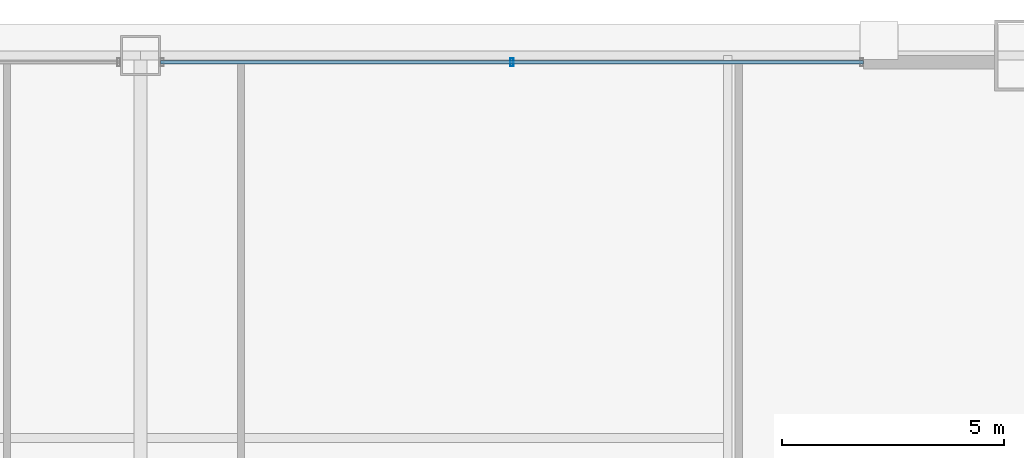
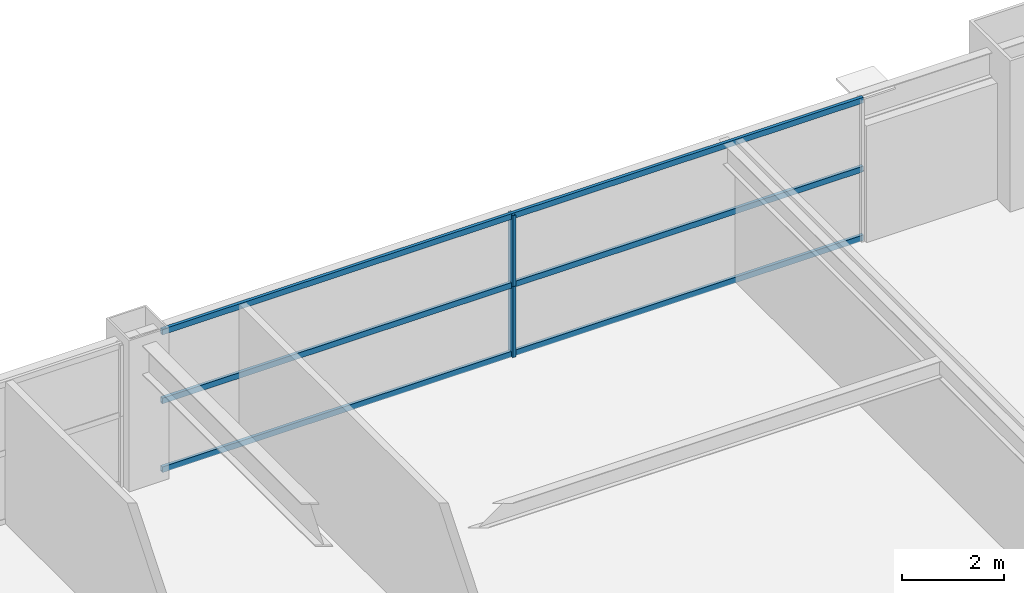
# One storey, part 31 of 39: 5 members, 1 element without a shape of its own.
"""IFC4 building model written with IfcOpenShell, lengths in metres."""

from ifc_helpers import new_model, si_unit, direction, frame, origin, origin_2d, place, context, subcontext, project, spatial, hollow_rectangle, extrude, source, transform, mapped, material, layer, layer_set, material_profile, profile_set, type_object, element, aggregate, save


model = new_model("IFC4")

# Units and contexts
model_context = context("Model", 3, precision=1e-05, world=origin(), true_north=direction((0.0, 1.0)))
body_context = subcontext(model_context, "Body", "Model", "MODEL_VIEW")
ifc_project = project(units=[si_unit("LENGTHUNIT", "METRE"), si_unit("AREAUNIT", "SQUARE_METRE"), si_unit("VOLUMEUNIT", "CUBIC_METRE"), si_unit("PLANEANGLEUNIT", "RADIAN"), si_unit("MASSUNIT", "GRAM", prefix="KILO"), si_unit("THERMODYNAMICTEMPERATUREUNIT", "KELVIN"), si_unit("POWERUNIT", "WATT")], contexts=[model_context])

# Site, building, storey
site_placement = place(None, origin())
site = spatial("IfcSite", under=ifc_project, at=site_placement, CompositionType="ELEMENT")
building_placement = place(site_placement, origin())
building = spatial("IfcBuilding", under=site, at=building_placement, Name="Yuzanri Waterfront Tower", CompositionType="ELEMENT")
storey_placement = place(building_placement, frame((0.0, 0.0, 134.39990234375)))
storey = spatial("IfcBuildingStorey", under=building, at=storey_placement, Name="L35", CompositionType="ELEMENT", Elevation=134.39990234375)

# Curtain wall, members
ifc_material_1 = material(Name="Anodized Architectural Bronze", Category="metal")
ifc_layer = layer(ifc_material_1, 0.159912109375)
ifc_layer_set = layer_set([ifc_layer], Name="Anodized Architectural Bronze")
curtain_wall_type = type_object("IfcCurtainWallType", Name="Anodized Bronze Hotel Upper-Tier Solar-Control Unitized Curtain Wall 7800", PredefinedType="NOTDEFINED", material=ifc_layer_set)
curtain_wall_placement = place(storey_placement, origin())
curtain_wall = element("IfcCurtainWall", 1, at=curtain_wall_placement, inside=storey, type_object=curtain_wall_type, Name="L35 Curtain Wall CW-L35-NR", PredefinedType="NOTDEFINED")
ifc_material_2 = material(Name="Anodized Architectural Bronze", Category="metal")
ifc_material_profile_1 = material_profile(ifc_material_2, hollow_rectangle(XDim=0.070068359375, YDim=0.179931640625, WallThickness=0.00390625, at=origin_2d()), Name="CWM 70x180")
ifc_profile_set_1 = profile_set([ifc_material_profile_1], Name="Anodized Architectural Bronze")
member_type_1 = type_object("IfcMemberType", Name="Anodized Bronze Standard Curtain-Wall Mullion 70x180", PredefinedType="MULLION", material=ifc_profile_set_1)
shared_shape_1 = source(origin(), body_context, "Body", "SweptSolid", [
    extrude(hollow_rectangle(XDim=0.070068359375, YDim=0.179931640625, WallThickness=0.00390625, at=origin_2d()), origin(), (0.0, 0.0, 1.0), 1.68798828125),
])
member_1_placement = place(storey_placement, frame((45.35009765625, 49.25, 0.0), z_axis=(0.0, 0.0, 1.0), x_axis=(1.0, 0.0, 0.0)))
member_1 = element("IfcMember", 2, at=member_1_placement, type_object=member_type_1, Name="CW-L35-NR Lower Mullion 01", PredefinedType="MULLION", context=body_context, shape_type="MappedRepresentation", body=[
    mapped(shared_shape_1, transform((0.0, 0.0, 0.0), scale=1.0)),
])
member_2_placement = place(storey_placement, frame((45.35009765625, 49.25, 1.692138671875), z_axis=(0.0, 0.0, 1.0), x_axis=(1.0, 0.0, 0.0)))
member_2 = element("IfcMember", 3, at=member_2_placement, type_object=member_type_1, Name="CW-L35-NR Upper Mullion 01", PredefinedType="MULLION", context=body_context, shape_type="MappedRepresentation", body=[
    mapped(shared_shape_1, transform((0.0, 0.0, 0.0), scale=1.0)),
])
ifc_material_3 = material(Name="Anodized Architectural Bronze", Category="metal")
ifc_material_profile_2 = material_profile(ifc_material_3, hollow_rectangle(XDim=0.070068359375, YDim=0.135009765625, WallThickness=0.00341796875, at=origin_2d()), Name="CWT 70x135")
ifc_profile_set_2 = profile_set([ifc_material_profile_2], Name="Anodized Architectural Bronze")
member_type_2 = type_object("IfcMemberType", Name="Anodized Bronze Standard Curtain-Wall Transom 70x135", PredefinedType="USERDEFINED", material=ifc_profile_set_2)
shared_shape_2 = source(origin(), body_context, "Body", "SweptSolid", [
    extrude(hollow_rectangle(XDim=0.070068359375, YDim=0.135009765625, WallThickness=0.00341796875, at=origin_2d()), origin(), (0.0, 0.0, 1.0), 15.800048828125),
])
member_3_placement = place(storey_placement, frame((37.449951171875, 49.25, 0.050048828125), z_axis=(1.0, 0.0, 0.0), x_axis=(0.0, 1.0, 0.0)))
member_3 = element("IfcMember", 4, at=member_3_placement, type_object=member_type_2, Name="CW-L35-NR Transom 1", ObjectType="TRANSOM", PredefinedType="USERDEFINED", context=body_context, shape_type="MappedRepresentation", body=[
    mapped(shared_shape_2, transform((0.0, 0.0, 0.0), scale=1.0)),
])
member_4_placement = place(storey_placement, frame((37.449951171875, 49.25, 1.690185546875), z_axis=(1.0, 0.0, 0.0), x_axis=(0.0, 1.0, 0.0)))
member_4 = element("IfcMember", 5, at=member_4_placement, type_object=member_type_2, Name="CW-L35-NR Transom 2", ObjectType="TRANSOM", PredefinedType="USERDEFINED", context=body_context, shape_type="MappedRepresentation", body=[
    mapped(shared_shape_2, transform((0.0, 0.0, 0.0), scale=1.0)),
])
member_5_placement = place(storey_placement, frame((37.449951171875, 49.25, 3.330078125), z_axis=(1.0, 0.0, 0.0), x_axis=(0.0, 1.0, 0.0)))
member_5 = element("IfcMember", 6, at=member_5_placement, type_object=member_type_2, Name="CW-L35-NR Transom 3", ObjectType="TRANSOM", PredefinedType="USERDEFINED", context=body_context, shape_type="MappedRepresentation", body=[
    mapped(shared_shape_2, transform((0.0, 0.0, 0.0), scale=1.0)),
])
aggregate(curtain_wall, [member_1, member_2, member_3, member_4, member_5])

save(model, "model.ifc")
